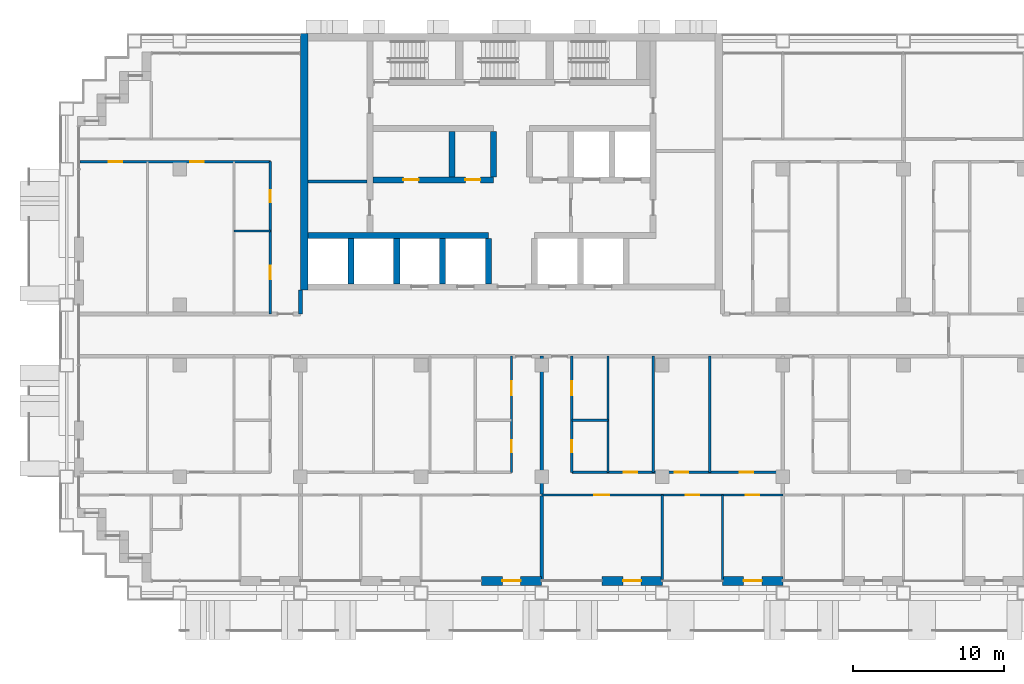
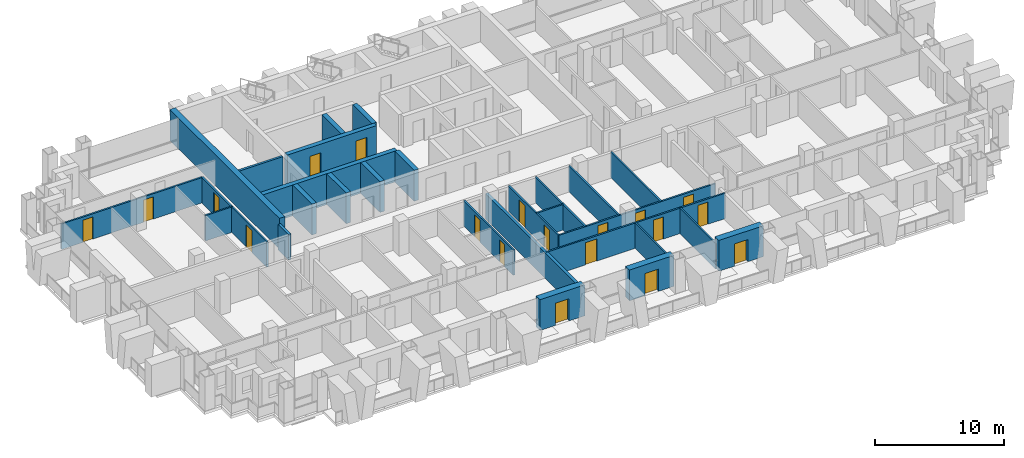
# One storey, part 10 of 18: 28 walls, 19 doors, 19 openings.
"""IFC4 building model written with IfcOpenShell, lengths in metres."""

from ifc_helpers import new_model, si_unit, direction, frame, frame_2d, origin, place, context, subcontext, project, spatial, rectangle, extrude, material, layer, layer_set, type_object, element, fill, save


model = new_model("IFC4")

# Units and contexts
model_context = context("Model", 3, precision=1e-05, world=origin(), true_north=direction((0.0, 1.0)))
body_context = subcontext(model_context, "Body", "Model", "MODEL_VIEW")
ifc_project = project(units=[si_unit("LENGTHUNIT", "METRE"), si_unit("AREAUNIT", "SQUARE_METRE"), si_unit("VOLUMEUNIT", "CUBIC_METRE"), si_unit("PLANEANGLEUNIT", "RADIAN"), si_unit("MASSUNIT", "GRAM", prefix="KILO")], contexts=[model_context])

# Site, building, storey
site_placement = place(None, origin())
site = spatial("IfcSite", under=ifc_project, at=site_placement, CompositionType="ELEMENT")
building_placement = place(site_placement, origin())
building = spatial("IfcBuilding", under=site, at=building_placement, Name="Vidyagriha Tower", CompositionType="ELEMENT")
storey_placement = place(building_placement, frame((0.0, 0.0, 93.5)))
storey = spatial("IfcBuildingStorey", under=building, at=storey_placement, Name="L24", CompositionType="ELEMENT", Elevation=93.5)

# Wall, opening, door
ifc_material_1 = material(Name="Precast concrete C40/50 with brick facing", Category="concrete")
ifc_layer_1 = layer(ifc_material_1, 0.60009765625)
ifc_layer_set_1 = layer_set([ifc_layer_1], Name="Precast concrete C40/50 with brick facing")
wall_type_1 = type_object("IfcWallType", Name="Brick-faced precast wall 600", PredefinedType="STANDARD", material=ifc_layer_set_1)
wall_1_placement = place(storey_placement, frame((-2.0, -16.300048828125, 0.0)))
wall_1 = element("IfcWall", 1, at=wall_1_placement, inside=storey, type_object=wall_type_1, Name="Brick door bay wall L24 R23.7", PredefinedType="STANDARD", context=body_context, shape_type="SweptSolid", body=[
    extrude(rectangle(XDim=4.0, YDim=0.60009765625, at=frame_2d((2.0, 0.0))), origin(), (0.0, 0.0, 1.0), 2.919921875),
])
opening_1_placement = place(wall_1_placement, frame((1.39990234375, 0.0, 0.0)))
opening_1 = element("IfcOpeningElement", 2, at=opening_1_placement, cuts=wall_1, Name="Opening D24-77", PredefinedType="OPENING", context=body_context, shape_type="SweptSolid", body=[
    extrude(rectangle(XDim=1.199951171875, YDim=2.10009765625, at=frame_2d((0.60009765625, 1.050048828125))), frame((0.0, 0.31005859375, 0.0), z_axis=(0.0, -1.0, 0.0), x_axis=(1.0, 0.0, 0.0)), (0.0, 0.0, 1.0), 0.6201171875),
])
ifc_material_2 = material(Name="Aluminium framed glazed sliding door", Category="aluminium")
door_type_1 = type_object("IfcDoorType", Name="Balcony sliding door 1200x2100", OperationType="NOTDEFINED", PredefinedType="DOOR", material=ifc_material_2)
door_1_placement = place(opening_1_placement, origin())
door_1 = element("IfcDoor", 3, at=door_1_placement, inside=storey, type_object=door_type_1, Name="Door D24-77", OperationType="SLIDING_TO_LEFT", OverallHeight=2.10009765625, OverallWidth=1.199951171875, PredefinedType="DOOR", context=body_context, shape_type="SweptSolid", body=[
    extrude(rectangle(XDim=1.199951171875, YDim=2.10009765625, at=frame_2d((0.60009765625, 1.050048828125))), frame((0.0, 0.02490234375, 0.0), z_axis=(0.0, -1.0, 0.0), x_axis=(1.0, 0.0, 0.0)), (0.0, 0.0, 1.0), 0.050048828125),
])
fill(opening_1, door_1)

wall_2_placement = place(storey_placement, frame((6.0, -16.300048828125, 0.0)))
wall_2 = element("IfcWall", 4, at=wall_2_placement, inside=storey, type_object=wall_type_1, Name="Brick door bay wall L24 R23.9", PredefinedType="STANDARD", context=body_context, shape_type="SweptSolid", body=[
    extrude(rectangle(XDim=4.0, YDim=0.60009765625, at=frame_2d((2.0, 0.0))), origin(), (0.0, 0.0, 1.0), 2.919921875),
])
opening_2_placement = place(wall_2_placement, frame((1.39990234375, 0.0, 0.0)))
opening_2 = element("IfcOpeningElement", 5, at=opening_2_placement, cuts=wall_2, Name="Opening D24-78", PredefinedType="OPENING", context=body_context, shape_type="SweptSolid", body=[
    extrude(rectangle(XDim=1.199951171875, YDim=2.10009765625, at=frame_2d((0.60009765625, 1.050048828125))), frame((0.0, 0.31005859375, 0.0), z_axis=(0.0, -1.0, 0.0), x_axis=(1.0, 0.0, 0.0)), (0.0, 0.0, 1.0), 0.6201171875),
])
door_2_placement = place(opening_2_placement, origin())
door_2 = element("IfcDoor", 6, at=door_2_placement, inside=storey, type_object=door_type_1, Name="Door D24-78", OperationType="SLIDING_TO_LEFT", OverallHeight=2.10009765625, OverallWidth=1.199951171875, PredefinedType="DOOR", context=body_context, shape_type="SweptSolid", body=[
    extrude(rectangle(XDim=1.199951171875, YDim=2.10009765625, at=frame_2d((0.60009765625, 1.050048828125))), frame((0.0, 0.02490234375, 0.0), z_axis=(0.0, -1.0, 0.0), x_axis=(1.0, 0.0, 0.0)), (0.0, 0.0, 1.0), 0.050048828125),
])
fill(opening_2, door_2)

wall_3_placement = place(storey_placement, frame((14.0, -16.300048828125, 0.0)))
wall_3 = element("IfcWall", 7, at=wall_3_placement, inside=storey, type_object=wall_type_1, Name="Brick door bay wall L24 R23.11", PredefinedType="STANDARD", context=body_context, shape_type="SweptSolid", body=[
    extrude(rectangle(XDim=4.0, YDim=0.60009765625, at=frame_2d((2.0, 0.0))), origin(), (0.0, 0.0, 1.0), 2.919921875),
])
opening_3_placement = place(wall_3_placement, frame((1.39990234375, 0.0, 0.0)))
opening_3 = element("IfcOpeningElement", 8, at=opening_3_placement, cuts=wall_3, Name="Opening D24-79", PredefinedType="OPENING", context=body_context, shape_type="SweptSolid", body=[
    extrude(rectangle(XDim=1.199951171875, YDim=2.10009765625, at=frame_2d((0.60009765625, 1.050048828125))), frame((0.0, 0.31005859375, 0.0), z_axis=(0.0, -1.0, 0.0), x_axis=(1.0, 0.0, 0.0)), (0.0, 0.0, 1.0), 0.6201171875),
])
door_3_placement = place(opening_3_placement, origin())
door_3 = element("IfcDoor", 9, at=door_3_placement, inside=storey, type_object=door_type_1, Name="Door D24-79", OperationType="SLIDING_TO_LEFT", OverallHeight=2.10009765625, OverallWidth=1.199951171875, PredefinedType="DOOR", context=body_context, shape_type="SweptSolid", body=[
    extrude(rectangle(XDim=1.199951171875, YDim=2.10009765625, at=frame_2d((0.60009765625, 1.050048828125))), frame((0.0, 0.02490234375, 0.0), z_axis=(0.0, -1.0, 0.0), x_axis=(1.0, 0.0, 0.0)), (0.0, 0.0, 1.0), 0.050048828125),
])
fill(opening_3, door_3)

# Walls
ifc_material_3 = material(Name="Concrete C60/75", Category="concrete")
ifc_layer_2 = layer(ifc_material_3, 0.39990234375)
ifc_layer_set_2 = layer_set([ifc_layer_2], Name="Concrete C60/75")
wall_type_2 = type_object("IfcWallType", Name="Core shear wall 400 mm", PredefinedType="SHEAR", material=ifc_layer_set_2)
wall_4_placement = place(storey_placement, frame((-13.5, 6.60009765625, 0.0)))
element("IfcWall", 10, at=wall_4_placement, inside=storey, type_object=wall_type_2, Name="Core lobby south wall west", PredefinedType="SHEAR", context=body_context, shape_type="SweptSolid", body=[
    extrude(rectangle(XDim=11.977783203125, YDim=0.39990234375, at=frame_2d((5.98876953125, 0.0))), origin(), (0.0, 0.0, 1.0), 2.919921875),
])
for number, where, z_axis, x_axis, name in (
    (11, (-10.655517578125, 3.39990234375, 0.0), (0.0, 0.0, 1.0), (0.0, 1.0, 0.0), "Core bay wall S1"),
    (12, (-7.611083984375, 3.39990234375, 0.0), (0.0, 0.0, 1.0), (0.0, 1.0, 0.0), "Core bay wall S2"),
    (13, (-4.566650390625, 3.39990234375, 0.0), (0.0, 0.0, 1.0), (0.0, 1.0, 0.0), "Core bay wall S3"),
    (14, (-1.522216796875, 3.39990234375, 0.0), (0.0, 0.0, 1.0), (0.0, 1.0, 0.0), "Core bay wall S4"),
):
    element("IfcWall", number, at=place(storey_placement, frame(where, z_axis=z_axis, x_axis=x_axis)), inside=storey, type_object=wall_type_2, Name=name, PredefinedType="SHEAR", context=body_context, shape_type="SweptSolid", body=[
        extrude(rectangle(XDim=3.0, YDim=0.39990234375, at=frame_2d((1.5, 0.0))), origin(), (0.0, 0.0, 1.0), 2.919921875),
    ])

# Wall, openings, doors
wall_5_placement = place(storey_placement, frame((-9.199951171875, 10.300048828125, 0.0)))
wall_5 = element("IfcWall", 15, at=wall_5_placement, inside=storey, type_object=wall_type_2, Name="Core row N front wall", PredefinedType="SHEAR", context=body_context, shape_type="SweptSolid", body=[
    extrude(rectangle(XDim=8.0, YDim=0.39990234375, at=frame_2d((4.0, 0.0))), origin(), (0.0, 0.0, 1.0), 2.919921875),
])
opening_4_placement = place(wall_5_placement, frame((2.033203125, 0.0, 0.0)))
opening_4 = element("IfcOpeningElement", 16, at=opening_4_placement, cuts=wall_5, Name="Opening D24-02", PredefinedType="OPENING", context=body_context, shape_type="SweptSolid", body=[
    extrude(rectangle(XDim=1.0, YDim=2.10009765625, at=frame_2d((0.5, 1.050048828125))), frame((0.0, 0.2099609375, 0.0), z_axis=(0.0, -1.0, 0.0), x_axis=(1.0, 0.0, 0.0)), (0.0, 0.0, 1.0), 0.419921875),
])
opening_5_placement = place(wall_5_placement, frame((6.13330078125, 0.0, 0.0)))
opening_5 = element("IfcOpeningElement", 17, at=opening_5_placement, cuts=wall_5, Name="Opening D24-03", PredefinedType="OPENING", context=body_context, shape_type="SweptSolid", body=[
    extrude(rectangle(XDim=1.0, YDim=2.10009765625, at=frame_2d((0.5, 1.050048828125))), frame((0.0, 0.2099609375, 0.0), z_axis=(0.0, -1.0, 0.0), x_axis=(1.0, 0.0, 0.0)), (0.0, 0.0, 1.0), 0.419921875),
])
ifc_material_4 = material(Name="Hollow metal door leaf")
door_type_2 = type_object("IfcDoorType", Name="Core room door 1000 x 2100 mm EI 60", OperationType="NOTDEFINED", PredefinedType="DOOR", material=ifc_material_4)
door_4_placement = place(opening_4_placement, frame((1.0, 0.0, 0.0), z_axis=(0.0, 0.0, 1.0), x_axis=(-1.0, 0.0, 0.0)))
door_4 = element("IfcDoor", 18, at=door_4_placement, inside=storey, type_object=door_type_2, Name="Door Pressurisation Plant Room 24.14", OperationType="SINGLE_SWING_RIGHT", OverallHeight=2.10009765625, OverallWidth=1.0, PredefinedType="DOOR", context=body_context, shape_type="SweptSolid", body=[
    extrude(rectangle(XDim=1.0, YDim=2.10009765625, at=frame_2d((0.5, 1.050048828125))), frame((0.0, 0.02490234375, 0.0), z_axis=(0.0, -1.0, 0.0), x_axis=(1.0, 0.0, 0.0)), (0.0, 0.0, 1.0), 0.050048828125),
])
fill(opening_4, door_4)
door_5_placement = place(opening_5_placement, frame((1.0, 0.0, 0.0), z_axis=(0.0, 0.0, 1.0), x_axis=(-1.0, 0.0, 0.0)))
door_5 = element("IfcDoor", 19, at=door_5_placement, inside=storey, type_object=door_type_2, Name="Door Switchgear Room 24.15", OperationType="SINGLE_SWING_LEFT", OverallHeight=2.10009765625, OverallWidth=1.0, PredefinedType="DOOR", context=body_context, shape_type="SweptSolid", body=[
    extrude(rectangle(XDim=1.0, YDim=2.10009765625, at=frame_2d((0.5, 1.050048828125))), frame((0.0, 0.02490234375, 0.0), z_axis=(0.0, -1.0, 0.0), x_axis=(1.0, 0.0, 0.0)), (0.0, 0.0, 1.0), 0.050048828125),
])
fill(opening_5, door_5)

# Walls
for number, where, z_axis, x_axis, name in (
    (20, (-3.933349609375, 10.5, 0.0), (0.0, 0.0, 1.0), (0.0, 1.0, 0.0), "Core bay wall N2"),
    (21, (-1.199951171875, 10.5, 0.0), (0.0, 0.0, 1.0), (0.0, 1.0, 0.0), "Core bay wall N3"),
):
    element("IfcWall", number, at=place(storey_placement, frame(where, z_axis=z_axis, x_axis=x_axis)), inside=storey, type_object=wall_type_2, Name=name, PredefinedType="SHEAR", context=body_context, shape_type="SweptSolid", body=[
        extrude(rectangle(XDim=3.0, YDim=0.39990234375, at=frame_2d((1.5, 0.0))), origin(), (0.0, 0.0, 1.0), 2.919921875),
    ])
ifc_material_5 = material(Name="Concrete C60/75", Category="concrete")
ifc_layer_3 = layer(ifc_material_5, 0.5)
ifc_layer_set_3 = layer_set([ifc_layer_3], Name="Concrete C60/75")
wall_type_3 = type_object("IfcWallType", Name="Core shear wall 500 mm", PredefinedType="SHEAR", material=ifc_layer_set_3)
wall_6_placement = place(storey_placement, frame((-13.75, 3.0, 0.0), z_axis=(0.0, 0.0, 1.0), x_axis=(0.0, 1.0, 0.0)))
element("IfcWall", 22, at=wall_6_placement, inside=storey, type_object=wall_type_3, Name="Core west wall", PredefinedType="SHEAR", context=body_context, shape_type="SweptSolid", body=[
    extrude(rectangle(XDim=17.0, YDim=0.5, at=frame_2d((8.5, 0.0))), origin(), (0.0, 0.0, 1.0), 2.919921875),
])
ifc_material_6 = material(Name="Fired clay brick masonry", Category="masonry")
ifc_layer_4 = layer(ifc_material_6, 0.25)
ifc_layer_set_4 = layer_set([ifc_layer_4], Name="Fired clay brick masonry")
wall_type_4 = type_object("IfcWallType", Name="Fired clay brick corridor wall 250", PredefinedType="PARTITIONING", material=ifc_layer_set_4)
wall_7_placement = place(storey_placement, frame((-14.0, 3.0, 0.0), z_axis=(0.0, 0.0, 1.0), x_axis=(0.0, -1.0, 0.0)))
element("IfcWall", 23, at=wall_7_placement, inside=storey, type_object=wall_type_4, Name="Wall all-L24-w133", PredefinedType="PARTITIONING", context=body_context, shape_type="SweptSolid", body=[
    extrude(rectangle(XDim=1.60009765625, YDim=0.25, at=frame_2d((0.800048828125, 0.0))), origin(), (0.0, 0.0, 1.0), 2.39990234375),
])
ifc_material_7 = material(Name="Fired clay brick masonry", Category="masonry")
ifc_layer_5 = layer(ifc_material_7, 0.25)
ifc_layer_set_5 = layer_set([ifc_layer_5], Name="Fired clay brick masonry")
wall_type_5 = type_object("IfcWallType", Name="Fired clay brick demising wall 250", PredefinedType="PARTITIONING", material=ifc_layer_set_5)
wall_8_placement = place(storey_placement, frame((2.0, -1.39990234375, 0.0), z_axis=(0.0, 0.0, 1.0), x_axis=(0.0, -1.0, 0.0)))
element("IfcWall", 24, at=wall_8_placement, inside=storey, type_object=wall_type_5, Name="Wall all-L24-w057", PredefinedType="PARTITIONING", context=body_context, shape_type="SweptSolid", body=[
    extrude(rectangle(XDim=14.81005859375, YDim=0.25, at=frame_2d((7.405029296875, 0.0))), origin(), (0.0, 0.0, 1.0), 2.39990234375),
])
ifc_material_8 = material(Name="Gypsum board partition")
ifc_layer_6 = layer(ifc_material_8, 0.14990234375)
ifc_layer_set_6 = layer_set([ifc_layer_6], Name="Gypsum board partition")
wall_type_6 = type_object("IfcWallType", Name="Gypsum board partition 150", PredefinedType="PARTITIONING", material=ifc_layer_set_6)
wall_9_placement = place(storey_placement, frame((6.39990234375, -5.64990234375, 0.0), z_axis=(0.0, 0.0, 1.0), x_axis=(-1.0, 0.0, 0.0)))
element("IfcWall", 25, at=wall_9_placement, inside=storey, type_object=wall_type_6, Name="Wall all-L24-w042", PredefinedType="PARTITIONING", context=body_context, shape_type="SweptSolid", body=[
    extrude(rectangle(XDim=2.39990234375, YDim=0.14990234375, at=frame_2d((1.199951171875, 0.0))), origin(), (0.0, 0.0, 1.0), 2.39990234375),
])
for number, where, z_axis, x_axis, name in (
    (26, (6.39990234375, -1.39990234375, 0.0), (0.0, 0.0, 1.0), (0.0, -1.0, 0.0), "Wall all-L24-w043"),
    (27, (9.39990234375, -1.39990234375, 0.0), (0.0, 0.0, 1.0), (0.0, -1.0, 0.0), "Wall all-L24-w044"),
    (28, (13.14990234375, -1.39990234375, 0.0), (0.0, 0.0, 1.0), (0.0, -1.0, 0.0), "Wall all-L24-w045"),
):
    element("IfcWall", number, at=place(storey_placement, frame(where, z_axis=z_axis, x_axis=x_axis)), inside=storey, type_object=wall_type_6, Name=name, PredefinedType="PARTITIONING", context=body_context, shape_type="SweptSolid", body=[
        extrude(rectangle(XDim=7.7001953125, YDim=0.14990234375, at=frame_2d((3.85009765625, 0.0))), origin(), (0.0, 0.0, 1.0), 2.39990234375),
    ])

# Wall, openings, doors
wall_10_placement = place(storey_placement, frame((4.0, -9.10009765625, 0.0)))
wall_10 = element("IfcWall", 29, at=wall_10_placement, inside=storey, type_object=wall_type_6, Name="Wall all-L24-w046", PredefinedType="PARTITIONING", context=body_context, shape_type="SweptSolid", body=[
    extrude(rectangle(XDim=14.0, YDim=0.14990234375, at=frame_2d((7.0, 0.0))), origin(), (0.0, 0.0, 1.0), 2.39990234375),
])
opening_6_placement = place(wall_10_placement, frame((3.449951171875, 0.0, 0.0)))
opening_6 = element("IfcOpeningElement", 30, at=opening_6_placement, cuts=wall_10, Name="Opening D24-33", PredefinedType="OPENING", context=body_context, shape_type="SweptSolid", body=[
    extrude(rectangle(XDim=0.89990234375, YDim=2.10009765625, at=frame_2d((0.449951171875, 1.050048828125))), frame((0.0, 0.0849609375, 0.0), z_axis=(0.0, -1.0, 0.0), x_axis=(1.0, 0.0, 0.0)), (0.0, 0.0, 1.0), 0.169921875),
])
opening_7_placement = place(wall_10_placement, frame((6.824951171875, 0.0, 0.0)))
opening_7 = element("IfcOpeningElement", 31, at=opening_7_placement, cuts=wall_10, Name="Opening D24-34", PredefinedType="OPENING", context=body_context, shape_type="SweptSolid", body=[
    extrude(rectangle(XDim=0.89990234375, YDim=2.10009765625, at=frame_2d((0.449951171875, 1.050048828125))), frame((0.0, 0.0849609375, 0.0), z_axis=(0.0, -1.0, 0.0), x_axis=(1.0, 0.0, 0.0)), (0.0, 0.0, 1.0), 0.169921875),
])
opening_8_placement = place(wall_10_placement, frame((11.125, 0.0, 0.0)))
opening_8 = element("IfcOpeningElement", 32, at=opening_8_placement, cuts=wall_10, Name="Opening D24-35", PredefinedType="OPENING", context=body_context, shape_type="SweptSolid", body=[
    extrude(rectangle(XDim=0.89990234375, YDim=2.10009765625, at=frame_2d((0.449951171875, 1.050048828125))), frame((0.0, 0.0849609375, 0.0), z_axis=(0.0, -1.0, 0.0), x_axis=(1.0, 0.0, 0.0)), (0.0, 0.0, 1.0), 0.169921875),
])
ifc_material_9 = material(Name="Timber door leaf", Category="wood")
door_type_3 = type_object("IfcDoorType", Name="Room door 900x2100", OperationType="NOTDEFINED", PredefinedType="DOOR", material=ifc_material_9)
door_6_placement = place(opening_6_placement, origin())
door_6 = element("IfcDoor", 33, at=door_6_placement, inside=storey, type_object=door_type_3, Name="Door D24-33", OperationType="SINGLE_SWING_RIGHT", OverallHeight=2.10009765625, OverallWidth=0.89990234375, PredefinedType="DOOR", context=body_context, shape_type="SweptSolid", body=[
    extrude(rectangle(XDim=0.89990234375, YDim=2.10009765625, at=frame_2d((0.449951171875, 1.050048828125))), frame((0.0, 0.02490234375, 0.0), z_axis=(0.0, -1.0, 0.0), x_axis=(1.0, 0.0, 0.0)), (0.0, 0.0, 1.0), 0.050048828125),
])
fill(opening_6, door_6)
door_7_placement = place(opening_7_placement, origin())
door_7 = element("IfcDoor", 34, at=door_7_placement, inside=storey, type_object=door_type_3, Name="Door D24-34", OperationType="SINGLE_SWING_RIGHT", OverallHeight=2.10009765625, OverallWidth=0.89990234375, PredefinedType="DOOR", context=body_context, shape_type="SweptSolid", body=[
    extrude(rectangle(XDim=0.89990234375, YDim=2.10009765625, at=frame_2d((0.449951171875, 1.050048828125))), frame((0.0, 0.02490234375, 0.0), z_axis=(0.0, -1.0, 0.0), x_axis=(1.0, 0.0, 0.0)), (0.0, 0.0, 1.0), 0.050048828125),
])
fill(opening_7, door_7)
door_8_placement = place(opening_8_placement, origin())
door_8 = element("IfcDoor", 35, at=door_8_placement, inside=storey, type_object=door_type_3, Name="Door D24-35", OperationType="SINGLE_SWING_LEFT", OverallHeight=2.10009765625, OverallWidth=0.89990234375, PredefinedType="DOOR", context=body_context, shape_type="SweptSolid", body=[
    extrude(rectangle(XDim=0.89990234375, YDim=2.10009765625, at=frame_2d((0.449951171875, 1.050048828125))), frame((0.0, 0.02490234375, 0.0), z_axis=(0.0, -1.0, 0.0), x_axis=(1.0, 0.0, 0.0)), (0.0, 0.0, 1.0), 0.050048828125),
])
fill(opening_8, door_8)

wall_11_placement = place(storey_placement, frame((18.0, -10.60009765625, 0.0), z_axis=(0.0, 0.0, 1.0), x_axis=(-1.0, 0.0, 0.0)))
wall_11 = element("IfcWall", 36, at=wall_11_placement, inside=storey, type_object=wall_type_6, Name="Wall all-L24-w050", PredefinedType="PARTITIONING", context=body_context, shape_type="SweptSolid", body=[
    extrude(rectangle(XDim=16.0, YDim=0.14990234375, at=frame_2d((8.0, 0.0))), origin(), (0.0, 0.0, 1.0), 2.39990234375),
])
opening_9_placement = place(wall_11_placement, frame((11.5, 0.0, 0.0)))
opening_9 = element("IfcOpeningElement", 37, at=opening_9_placement, cuts=wall_11, Name="Opening D24-36", PredefinedType="OPENING", context=body_context, shape_type="SweptSolid", body=[
    extrude(rectangle(XDim=1.0, YDim=2.10009765625, at=frame_2d((0.5, 1.050048828125))), frame((0.0, 0.0849609375, 0.0), z_axis=(0.0, -1.0, 0.0), x_axis=(1.0, 0.0, 0.0)), (0.0, 0.0, 1.0), 0.169921875),
])
opening_10_placement = place(wall_11_placement, frame((5.550048828125, 0.0, 0.0)))
opening_10 = element("IfcOpeningElement", 38, at=opening_10_placement, cuts=wall_11, Name="Opening D24-37", PredefinedType="OPENING", context=body_context, shape_type="SweptSolid", body=[
    extrude(rectangle(XDim=0.89990234375, YDim=2.10009765625, at=frame_2d((0.449951171875, 1.050048828125))), frame((0.0, 0.0849609375, 0.0), z_axis=(0.0, -1.0, 0.0), x_axis=(1.0, 0.0, 0.0)), (0.0, 0.0, 1.0), 0.169921875),
])
opening_11_placement = place(wall_11_placement, frame((1.550048828125, 0.0, 0.0)))
opening_11 = element("IfcOpeningElement", 39, at=opening_11_placement, cuts=wall_11, Name="Opening D24-38", PredefinedType="OPENING", context=body_context, shape_type="SweptSolid", body=[
    extrude(rectangle(XDim=0.89990234375, YDim=2.10009765625, at=frame_2d((0.449951171875, 1.050048828125))), frame((0.0, 0.0849609375, 0.0), z_axis=(0.0, -1.0, 0.0), x_axis=(1.0, 0.0, 0.0)), (0.0, 0.0, 1.0), 0.169921875),
])
ifc_material_10 = material(Name="Timber door leaf", Category="wood")
door_type_4 = type_object("IfcDoorType", Name="Room door 1000x2100", OperationType="NOTDEFINED", PredefinedType="DOOR", material=ifc_material_10)
door_9_placement = place(opening_9_placement, origin())
door_9 = element("IfcDoor", 40, at=door_9_placement, inside=storey, type_object=door_type_4, Name="Door D24-36", OperationType="SINGLE_SWING_RIGHT", OverallHeight=2.10009765625, OverallWidth=1.0, PredefinedType="DOOR", context=body_context, shape_type="SweptSolid", body=[
    extrude(rectangle(XDim=1.0, YDim=2.10009765625, at=frame_2d((0.5, 1.050048828125))), frame((0.0, 0.02490234375, 0.0), z_axis=(0.0, -1.0, 0.0), x_axis=(1.0, 0.0, 0.0)), (0.0, 0.0, 1.0), 0.050048828125),
])
fill(opening_9, door_9)
door_10_placement = place(opening_10_placement, origin())
door_10 = element("IfcDoor", 41, at=door_10_placement, inside=storey, type_object=door_type_3, Name="Door D24-37", OperationType="SINGLE_SWING_RIGHT", OverallHeight=2.10009765625, OverallWidth=0.89990234375, PredefinedType="DOOR", context=body_context, shape_type="SweptSolid", body=[
    extrude(rectangle(XDim=0.89990234375, YDim=2.10009765625, at=frame_2d((0.449951171875, 1.050048828125))), frame((0.0, 0.02490234375, 0.0), z_axis=(0.0, -1.0, 0.0), x_axis=(1.0, 0.0, 0.0)), (0.0, 0.0, 1.0), 0.050048828125),
])
fill(opening_10, door_10)
door_11_placement = place(opening_11_placement, origin())
door_11 = element("IfcDoor", 42, at=door_11_placement, inside=storey, type_object=door_type_3, Name="Door D24-38", OperationType="SINGLE_SWING_RIGHT", OverallHeight=2.10009765625, OverallWidth=0.89990234375, PredefinedType="DOOR", context=body_context, shape_type="SweptSolid", body=[
    extrude(rectangle(XDim=0.89990234375, YDim=2.10009765625, at=frame_2d((0.449951171875, 1.050048828125))), frame((0.0, 0.02490234375, 0.0), z_axis=(0.0, -1.0, 0.0), x_axis=(1.0, 0.0, 0.0)), (0.0, 0.0, 1.0), 0.050048828125),
])
fill(opening_11, door_11)

# Walls
wall_12_placement = place(storey_placement, frame((10.0, -10.60009765625, 0.0), z_axis=(0.0, 0.0, 1.0), x_axis=(0.0, -1.0, 0.0)))
element("IfcWall", 43, at=wall_12_placement, inside=storey, type_object=wall_type_6, Name="Wall all-L24-w054", PredefinedType="PARTITIONING", context=body_context, shape_type="SweptSolid", body=[
    extrude(rectangle(XDim=5.60986328125, YDim=0.14990234375, at=frame_2d((2.804931640625, 0.0))), origin(), (0.0, 0.0, 1.0), 2.39990234375),
])
wall_13_placement = place(storey_placement, frame((14.0, -10.60009765625, 0.0), z_axis=(0.0, 0.0, 1.0), x_axis=(0.0, -1.0, 0.0)))
element("IfcWall", 44, at=wall_13_placement, inside=storey, type_object=wall_type_6, Name="Wall all-L24-w055", PredefinedType="PARTITIONING", context=body_context, shape_type="SweptSolid", body=[
    extrude(rectangle(XDim=5.620849609375, YDim=0.14990234375, at=frame_2d((2.810546875, 0.0))), origin(), (0.0, 0.0, 1.0), 2.39990234375),
])
wall_14_placement = place(storey_placement, frame((-18.39990234375, 6.89990234375, 0.0)))
element("IfcWall", 45, at=wall_14_placement, inside=storey, type_object=wall_type_6, Name="Wall all-L24-w087", PredefinedType="PARTITIONING", context=body_context, shape_type="SweptSolid", body=[
    extrude(rectangle(XDim=2.39990234375, YDim=0.14990234375, at=frame_2d((1.199951171875, 0.0))), origin(), (0.0, 0.0, 1.0), 2.39990234375),
])

# Wall, openings, doors
wall_15_placement = place(storey_placement, frame((-16.0, 11.5, 0.0), z_axis=(0.0, 0.0, 1.0), x_axis=(-1.0, 0.0, 0.0)))
wall_15 = element("IfcWall", 46, at=wall_15_placement, inside=storey, type_object=wall_type_6, Name="Wall all-L24-w090", PredefinedType="PARTITIONING", context=body_context, shape_type="SweptSolid", body=[
    extrude(rectangle(XDim=12.6201171875, YDim=0.14990234375, at=frame_2d((6.31005859375, 0.0))), origin(), (0.0, 0.0, 1.0), 2.39990234375),
])
opening_12_placement = place(wall_15_placement, frame((4.410888671875, 0.0, 0.0)))
opening_12 = element("IfcOpeningElement", 47, at=opening_12_placement, cuts=wall_15, Name="Opening D24-53", PredefinedType="OPENING", context=body_context, shape_type="SweptSolid", body=[
    extrude(rectangle(XDim=0.89990234375, YDim=2.10009765625, at=frame_2d((0.449951171875, 1.050048828125))), frame((0.0, 0.0849609375, 0.0), z_axis=(0.0, -1.0, 0.0), x_axis=(1.0, 0.0, 0.0)), (0.0, 0.0, 1.0), 0.169921875),
])
opening_13_placement = place(wall_15_placement, frame((9.824951171875, 0.0, 0.0)))
opening_13 = element("IfcOpeningElement", 48, at=opening_13_placement, cuts=wall_15, Name="Opening D24-54", PredefinedType="OPENING", context=body_context, shape_type="SweptSolid", body=[
    extrude(rectangle(XDim=0.89990234375, YDim=2.10009765625, at=frame_2d((0.449951171875, 1.050048828125))), frame((0.0, 0.0849609375, 0.0), z_axis=(0.0, -1.0, 0.0), x_axis=(1.0, 0.0, 0.0)), (0.0, 0.0, 1.0), 0.169921875),
])
door_12_placement = place(opening_12_placement, origin())
door_12 = element("IfcDoor", 49, at=door_12_placement, inside=storey, type_object=door_type_3, Name="Door D24-53", OperationType="SINGLE_SWING_LEFT", OverallHeight=2.10009765625, OverallWidth=0.89990234375, PredefinedType="DOOR", context=body_context, shape_type="SweptSolid", body=[
    extrude(rectangle(XDim=0.89990234375, YDim=2.10009765625, at=frame_2d((0.449951171875, 1.050048828125))), frame((0.0, 0.02490234375, 0.0), z_axis=(0.0, -1.0, 0.0), x_axis=(1.0, 0.0, 0.0)), (0.0, 0.0, 1.0), 0.050048828125),
])
fill(opening_12, door_12)
door_13_placement = place(opening_13_placement, origin())
door_13 = element("IfcDoor", 50, at=door_13_placement, inside=storey, type_object=door_type_3, Name="Door D24-54", OperationType="SINGLE_SWING_RIGHT", OverallHeight=2.10009765625, OverallWidth=0.89990234375, PredefinedType="DOOR", context=body_context, shape_type="SweptSolid", body=[
    extrude(rectangle(XDim=0.89990234375, YDim=2.10009765625, at=frame_2d((0.449951171875, 1.050048828125))), frame((0.0, 0.02490234375, 0.0), z_axis=(0.0, -1.0, 0.0), x_axis=(1.0, 0.0, 0.0)), (0.0, 0.0, 1.0), 0.050048828125),
])
fill(opening_13, door_13)

ifc_material_11 = material(Name="Moisture resistant gypsum board partition")
ifc_layer_7 = layer(ifc_material_11, 0.14990234375)
ifc_layer_set_7 = layer_set([ifc_layer_7], Name="Moisture resistant gypsum board partition")
wall_type_7 = type_object("IfcWallType", Name="Gypsum board wet-area partition 150", PredefinedType="PARTITIONING", material=ifc_layer_set_7)
wall_16_placement = place(storey_placement, frame((0.0, -9.10009765625, 0.0), z_axis=(0.0, 0.0, 1.0), x_axis=(0.0, 1.0, 0.0)))
wall_16 = element("IfcWall", 51, at=wall_16_placement, inside=storey, type_object=wall_type_7, Name="Wall all-L24-w020", PredefinedType="PARTITIONING", context=body_context, shape_type="SweptSolid", body=[
    extrude(rectangle(XDim=7.7001953125, YDim=0.14990234375, at=frame_2d((3.85009765625, 0.0))), origin(), (0.0, 0.0, 1.0), 2.39990234375),
])
opening_14_placement = place(wall_16_placement, frame((5.125, 0.0, 0.0)))
opening_14 = element("IfcOpeningElement", 52, at=opening_14_placement, cuts=wall_16, Name="Opening D24-22", PredefinedType="OPENING", context=body_context, shape_type="SweptSolid", body=[
    extrude(rectangle(XDim=0.89990234375, YDim=2.10009765625, at=frame_2d((0.449951171875, 1.050048828125))), frame((0.0, 0.0849609375, 0.0), z_axis=(0.0, -1.0, 0.0), x_axis=(1.0, 0.0, 0.0)), (0.0, 0.0, 1.0), 0.169921875),
])
opening_15_placement = place(wall_16_placement, frame((1.324951171875, 0.0, 0.0)))
opening_15 = element("IfcOpeningElement", 53, at=opening_15_placement, cuts=wall_16, Name="Opening D24-23", PredefinedType="OPENING", context=body_context, shape_type="SweptSolid", body=[
    extrude(rectangle(XDim=0.800048828125, YDim=2.10009765625, at=frame_2d((0.39990234375, 1.050048828125))), frame((0.0, 0.0849609375, 0.0), z_axis=(0.0, -1.0, 0.0), x_axis=(1.0, 0.0, 0.0)), (0.0, 0.0, 1.0), 0.169921875),
])
ifc_material_12 = material(Name="Timber door leaf", Category="wood")
door_type_5 = type_object("IfcDoorType", Name="Bathroom door 800x2100", OperationType="NOTDEFINED", PredefinedType="DOOR", material=ifc_material_12)
door_14_placement = place(opening_15_placement, origin())
door_14 = element("IfcDoor", 54, at=door_14_placement, inside=storey, type_object=door_type_5, Name="Door D24-23", OperationType="SINGLE_SWING_RIGHT", OverallHeight=2.10009765625, OverallWidth=0.800048828125, PredefinedType="DOOR", context=body_context, shape_type="SweptSolid", body=[
    extrude(rectangle(XDim=0.800048828125, YDim=2.10009765625, at=frame_2d((0.39990234375, 1.050048828125))), frame((0.0, 0.02490234375, 0.0), z_axis=(0.0, -1.0, 0.0), x_axis=(1.0, 0.0, 0.0)), (0.0, 0.0, 1.0), 0.050048828125),
])
fill(opening_15, door_14)
ifc_material_13 = material(Name="Timber door leaf", Category="wood")
door_type_6 = type_object("IfcDoorType", Name="Kitchen door 900x2100", OperationType="NOTDEFINED", PredefinedType="DOOR", material=ifc_material_13)
door_15_placement = place(opening_14_placement, origin())
door_15 = element("IfcDoor", 55, at=door_15_placement, inside=storey, type_object=door_type_6, Name="Door D24-22", OperationType="SINGLE_SWING_LEFT", OverallHeight=2.10009765625, OverallWidth=0.89990234375, PredefinedType="DOOR", context=body_context, shape_type="SweptSolid", body=[
    extrude(rectangle(XDim=0.89990234375, YDim=2.10009765625, at=frame_2d((0.449951171875, 1.050048828125))), frame((0.0, 0.02490234375, 0.0), z_axis=(0.0, -1.0, 0.0), x_axis=(1.0, 0.0, 0.0)), (0.0, 0.0, 1.0), 0.050048828125),
])
fill(opening_14, door_15)

wall_17_placement = place(storey_placement, frame((4.0, -1.39990234375, 0.0), z_axis=(0.0, 0.0, 1.0), x_axis=(0.0, -1.0, 0.0)))
wall_17 = element("IfcWall", 56, at=wall_17_placement, inside=storey, type_object=wall_type_7, Name="Wall all-L24-w039", PredefinedType="PARTITIONING", context=body_context, shape_type="SweptSolid", body=[
    extrude(rectangle(XDim=7.7001953125, YDim=0.14990234375, at=frame_2d((3.85009765625, 0.0))), origin(), (0.0, 0.0, 1.0), 2.39990234375),
])
opening_16_placement = place(wall_17_placement, frame((1.675048828125, 0.0, 0.0)))
opening_16 = element("IfcOpeningElement", 57, at=opening_16_placement, cuts=wall_17, Name="Opening D24-31", PredefinedType="OPENING", context=body_context, shape_type="SweptSolid", body=[
    extrude(rectangle(XDim=0.89990234375, YDim=2.10009765625, at=frame_2d((0.449951171875, 1.050048828125))), frame((0.0, 0.0849609375, 0.0), z_axis=(0.0, -1.0, 0.0), x_axis=(1.0, 0.0, 0.0)), (0.0, 0.0, 1.0), 0.169921875),
])
opening_17_placement = place(wall_17_placement, frame((5.574951171875, 0.0, 0.0)))
opening_17 = element("IfcOpeningElement", 58, at=opening_17_placement, cuts=wall_17, Name="Opening D24-32", PredefinedType="OPENING", context=body_context, shape_type="SweptSolid", body=[
    extrude(rectangle(XDim=0.800048828125, YDim=2.10009765625, at=frame_2d((0.39990234375, 1.050048828125))), frame((0.0, 0.0849609375, 0.0), z_axis=(0.0, -1.0, 0.0), x_axis=(1.0, 0.0, 0.0)), (0.0, 0.0, 1.0), 0.169921875),
])
door_16_placement = place(opening_17_placement, origin())
door_16 = element("IfcDoor", 59, at=door_16_placement, inside=storey, type_object=door_type_5, Name="Door D24-32", OperationType="SINGLE_SWING_RIGHT", OverallHeight=2.10009765625, OverallWidth=0.800048828125, PredefinedType="DOOR", context=body_context, shape_type="SweptSolid", body=[
    extrude(rectangle(XDim=0.800048828125, YDim=2.10009765625, at=frame_2d((0.39990234375, 1.050048828125))), frame((0.0, 0.02490234375, 0.0), z_axis=(0.0, -1.0, 0.0), x_axis=(1.0, 0.0, 0.0)), (0.0, 0.0, 1.0), 0.050048828125),
])
fill(opening_17, door_16)
door_17_placement = place(opening_16_placement, origin())
door_17 = element("IfcDoor", 60, at=door_17_placement, inside=storey, type_object=door_type_6, Name="Door D24-31", OperationType="SINGLE_SWING_LEFT", OverallHeight=2.10009765625, OverallWidth=0.89990234375, PredefinedType="DOOR", context=body_context, shape_type="SweptSolid", body=[
    extrude(rectangle(XDim=0.89990234375, YDim=2.10009765625, at=frame_2d((0.449951171875, 1.050048828125))), frame((0.0, 0.02490234375, 0.0), z_axis=(0.0, -1.0, 0.0), x_axis=(1.0, 0.0, 0.0)), (0.0, 0.0, 1.0), 0.050048828125),
])
fill(opening_16, door_17)

wall_18_placement = place(storey_placement, frame((-16.0, 1.39990234375, 0.0), z_axis=(0.0, 0.0, 1.0), x_axis=(0.0, 1.0, 0.0)))
wall_18 = element("IfcWall", 61, at=wall_18_placement, inside=storey, type_object=wall_type_7, Name="Wall all-L24-w084", PredefinedType="PARTITIONING", context=body_context, shape_type="SweptSolid", body=[
    extrude(rectangle(XDim=10.10009765625, YDim=0.14990234375, at=frame_2d((5.050048828125, 0.0))), origin(), (0.0, 0.0, 1.0), 2.39990234375),
])
opening_18_placement = place(wall_18_placement, frame((2.300048828125, 0.0, 0.0)))
opening_18 = element("IfcOpeningElement", 62, at=opening_18_placement, cuts=wall_18, Name="Opening D24-51", PredefinedType="OPENING", context=body_context, shape_type="SweptSolid", body=[
    extrude(rectangle(XDim=0.89990234375, YDim=2.10009765625, at=frame_2d((0.449951171875, 1.050048828125))), frame((0.0, 0.0849609375, 0.0), z_axis=(0.0, -1.0, 0.0), x_axis=(1.0, 0.0, 0.0)), (0.0, 0.0, 1.0), 0.169921875),
])
opening_19_placement = place(wall_18_placement, frame((7.39990234375, 0.0, 0.0)))
opening_19 = element("IfcOpeningElement", 63, at=opening_19_placement, cuts=wall_18, Name="Opening D24-52", PredefinedType="OPENING", context=body_context, shape_type="SweptSolid", body=[
    extrude(rectangle(XDim=0.800048828125, YDim=2.10009765625, at=frame_2d((0.39990234375, 1.050048828125))), frame((0.0, 0.0849609375, 0.0), z_axis=(0.0, -1.0, 0.0), x_axis=(1.0, 0.0, 0.0)), (0.0, 0.0, 1.0), 0.169921875),
])
door_18_placement = place(opening_19_placement, origin())
door_18 = element("IfcDoor", 64, at=door_18_placement, inside=storey, type_object=door_type_5, Name="Door D24-52", OperationType="SINGLE_SWING_LEFT", OverallHeight=2.10009765625, OverallWidth=0.800048828125, PredefinedType="DOOR", context=body_context, shape_type="SweptSolid", body=[
    extrude(rectangle(XDim=0.800048828125, YDim=2.10009765625, at=frame_2d((0.39990234375, 1.050048828125))), frame((0.0, 0.02490234375, 0.0), z_axis=(0.0, -1.0, 0.0), x_axis=(1.0, 0.0, 0.0)), (0.0, 0.0, 1.0), 0.050048828125),
])
fill(opening_19, door_18)
door_19_placement = place(opening_18_placement, origin())
door_19 = element("IfcDoor", 65, at=door_19_placement, inside=storey, type_object=door_type_6, Name="Door D24-51", OperationType="SINGLE_SWING_RIGHT", OverallHeight=2.10009765625, OverallWidth=0.89990234375, PredefinedType="DOOR", context=body_context, shape_type="SweptSolid", body=[
    extrude(rectangle(XDim=0.89990234375, YDim=2.10009765625, at=frame_2d((0.449951171875, 1.050048828125))), frame((0.0, 0.02490234375, 0.0), z_axis=(0.0, -1.0, 0.0), x_axis=(1.0, 0.0, 0.0)), (0.0, 0.0, 1.0), 0.050048828125),
])
fill(opening_18, door_19)

# Wall
ifc_material_14 = material(Name="Blockwork 15 MPa", Category="masonry")
ifc_layer_8 = layer(ifc_material_14, 0.199951171875)
ifc_layer_set_8 = layer_set([ifc_layer_8], Name="Blockwork 15 MPa")
wall_type_8 = type_object("IfcWallType", Name="Service room partition 200 mm", PredefinedType="PARTITIONING", material=ifc_layer_set_8)
wall_19_placement = place(storey_placement, frame((-13.5, 10.199951171875, 0.0)))
element("IfcWall", 66, at=wall_19_placement, inside=storey, type_object=wall_type_8, Name="Core room partition W1", PredefinedType="PARTITIONING", context=body_context, shape_type="SweptSolid", body=[
    extrude(rectangle(XDim=3.89990234375, YDim=0.199951171875, at=frame_2d((1.949951171875, 0.0))), origin(), (0.0, 0.0, 1.0), 2.919921875),
])

save(model, "model.ifc")
